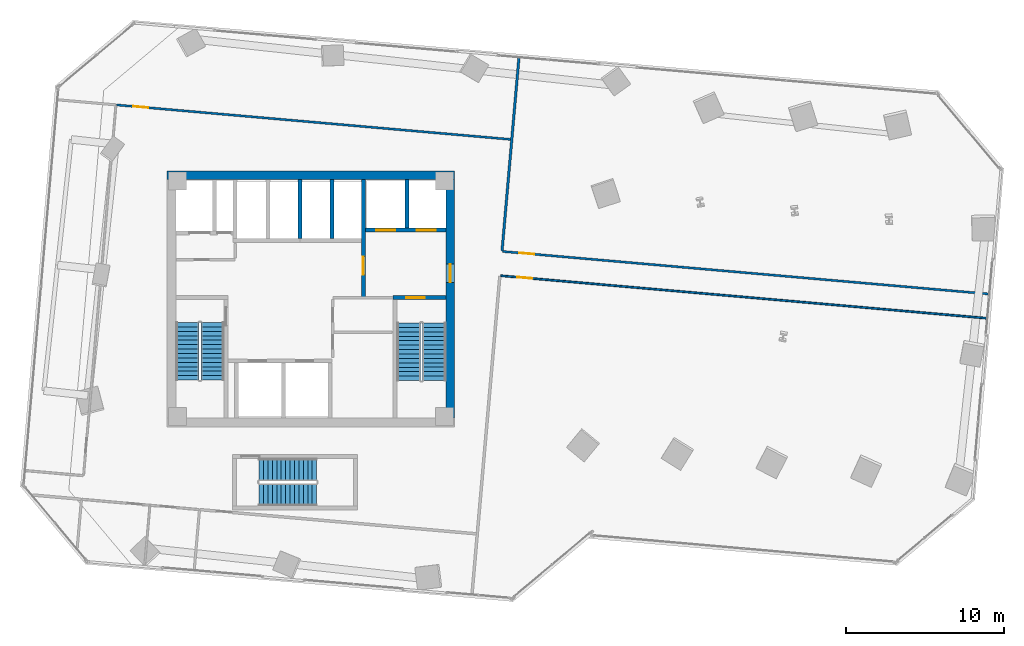
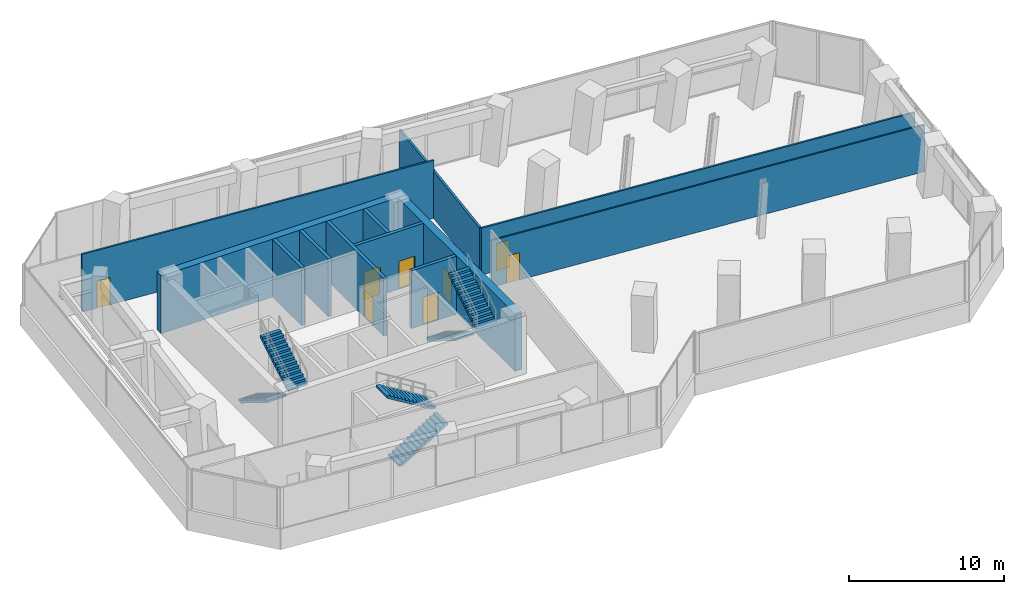
# One storey, part 21 of 24: 12 walls, 8 doors, 6 stair flights, 8 openings, 3 elements without a shape of their own.
"""IFC4 building model written with IfcOpenShell, lengths in metres."""

from ifc_helpers import new_model, si_unit, direction, frame, frame_2d, origin, place, context, subcontext, project, spatial, polyline, rectangle, outline, extrude, source, transform, mapped, material, layer, layer_set, type_object, element, fill, aggregate, save


model = new_model("IFC4")

# Units and contexts
model_context = context("Model", 3, precision=1e-05, world=origin(), true_north=direction((0.0, 1.0)))
body_context = subcontext(model_context, "Body", "Model", "MODEL_VIEW")
ifc_project = project(units=[si_unit("LENGTHUNIT", "METRE"), si_unit("AREAUNIT", "SQUARE_METRE"), si_unit("VOLUMEUNIT", "CUBIC_METRE"), si_unit("PLANEANGLEUNIT", "RADIAN"), si_unit("MASSUNIT", "GRAM", prefix="KILO")], contexts=[model_context])

# Site, building, storey
site_placement = place(None, origin())
site = spatial("IfcSite", under=ifc_project, at=site_placement, CompositionType="ELEMENT")
building_placement = place(site_placement, origin())
building = spatial("IfcBuilding", under=site, at=building_placement, Name="Torre Montelarca", CompositionType="ELEMENT")
storey_placement = place(building_placement, frame((0.0, 0.0, 52.0)))
storey = spatial("IfcBuildingStorey", under=building, at=storey_placement, Name="L11", CompositionType="ELEMENT", Elevation=52.0)

# Wall, opening, door
ifc_material_1 = material(Name="Concrete C40/50", Category="concrete")
ifc_layer_1 = layer(ifc_material_1, 0.25, Name="Concrete C40/50", Category="concrete")
ifc_layer_set_1 = layer_set([ifc_layer_1], Name="Concrete C40/50")
wall_type_1 = type_object("IfcWallType", Name="CW-SHAFT-250", PredefinedType="SHEAR", material=ifc_layer_set_1)
wall_1_placement = place(storey_placement, frame((23.18994140625, 32.074951171875, 0.0), z_axis=(0.0, 0.0, 1.0), x_axis=(1.0, 0.0, 0.0)))
wall_1 = element("IfcWall", 1, at=wall_1_placement, inside=storey, type_object=wall_type_1, Name="L11 Core Shear Wall SH-ST2-N", PredefinedType="SHEAR", context=body_context, shape_type="SweptSolid", body=[
    extrude(rectangle(XDim=3.35009765625, YDim=0.25, at=frame_2d((1.675048828125, 0.0))), origin(), (0.0, 0.0, 1.0), 4.56005859375),
])
opening_1_placement = place(wall_1_placement, frame((0.85009765625, 0.0, 0.0)))
opening_1 = element("IfcOpeningElement", 2, at=opening_1_placement, cuts=wall_1, Name="Opening FD-ST1", PredefinedType="OPENING", context=body_context, shape_type="SweptSolid", body=[
    extrude(rectangle(XDim=1.14990234375, YDim=2.199951171875, at=frame_2d((0.574951171875, 1.10009765625))), frame((0.0, 0.135009765625, 0.0), z_axis=(0.0, -1.0, 0.0), x_axis=(1.0, 0.0, 0.0)), (0.0, 0.0, 1.0), 0.27001953125),
])
ifc_material_2 = material(Name="Galvanized steel fire door", Category="steel")
door_type_1 = type_object("IfcDoorType", Name="DR-STAIR-115", OperationType="NOTDEFINED", PredefinedType="DOOR", material=ifc_material_2)
shared_shape_1 = source(origin(), body_context, "Body", "SweptSolid", [
    extrude(rectangle(XDim=1.14990234375, YDim=2.199951171875, at=frame_2d((0.574951171875, 1.10009765625))), frame((0.0, 0.02490234375, 0.0), z_axis=(0.0, -1.0, 0.0), x_axis=(1.0, 0.0, 0.0)), (0.0, 0.0, 1.0), 0.050048828125),
])
door_1_placement = place(opening_1_placement, origin())
door_1 = element("IfcDoor", 3, at=door_1_placement, inside=storey, type_object=door_type_1, Name="L11 Exit Stair ST2 Fire Door", OperationType="SINGLE_SWING_RIGHT", OverallHeight=2.199951171875, OverallWidth=1.14990234375, PredefinedType="DOOR", context=body_context, shape_type="MappedRepresentation", body=[
    mapped(shared_shape_1, transform((0.0, 0.0, 0.0), scale=1.0)),
])
fill(opening_1, door_1)

wall_2_placement = place(storey_placement, frame((21.320068359375, 32.1201171875, 0.0), z_axis=(0.0, 0.0, 1.0), x_axis=(0.0, 1.0, 0.0)))
wall_2 = element("IfcWall", 4, at=wall_2_placement, inside=storey, type_object=wall_type_1, Name="L11 Core Shear Wall SH-FFL-W", PredefinedType="SHEAR", context=body_context, shape_type="SweptSolid", body=[
    extrude(rectangle(XDim=7.419921875, YDim=0.25, at=frame_2d((3.7099609375, 0.0))), origin(), (0.0, 0.0, 1.0), 4.56005859375),
])
opening_2_placement = place(wall_2_placement, frame((1.39990234375, 0.0, 0.0)))
opening_2 = element("IfcOpeningElement", 5, at=opening_2_placement, cuts=wall_2, Name="Opening FD-LB1", PredefinedType="OPENING", context=body_context, shape_type="SweptSolid", body=[
    extrude(rectangle(XDim=1.14990234375, YDim=2.199951171875, at=frame_2d((0.574951171875, 1.10009765625))), frame((0.0, 0.135009765625, 0.0), z_axis=(0.0, -1.0, 0.0), x_axis=(1.0, 0.0, 0.0)), (0.0, 0.0, 1.0), 0.27001953125),
])
ifc_material_3 = material(Name="Acoustic timber-veneered fire door", Category="wood")
door_type_2 = type_object("IfcDoorType", Name="DR-LOBBY-115", OperationType="NOTDEFINED", PredefinedType="DOOR", material=ifc_material_3)
shared_shape_2 = source(origin(), body_context, "Body", "SweptSolid", [
    extrude(rectangle(XDim=1.14990234375, YDim=2.199951171875, at=frame_2d((0.574951171875, 1.10009765625))), frame((0.0, 0.02490234375, 0.0), z_axis=(0.0, -1.0, 0.0), x_axis=(1.0, 0.0, 0.0)), (0.0, 0.0, 1.0), 0.050048828125),
])
door_2_placement = place(opening_2_placement, origin())
door_2 = element("IfcDoor", 6, at=door_2_placement, inside=storey, type_object=door_type_2, Name="L11 Lift Lobby to Firefighting Lobby Smoke Door", OperationType="SINGLE_SWING_LEFT", OverallHeight=2.199951171875, OverallWidth=1.14990234375, PredefinedType="DOOR", context=body_context, shape_type="MappedRepresentation", body=[
    mapped(shared_shape_2, transform((0.0, 0.0, 0.0), scale=1.0)),
])
fill(opening_2, door_2)

# Wall, openings, doors
wall_3_placement = place(storey_placement, frame((21.449951171875, 36.35009765625, 0.0), z_axis=(0.0, 0.0, 1.0), x_axis=(1.0, 0.0, 0.0)))
wall_3 = element("IfcWall", 7, at=wall_3_placement, inside=storey, type_object=wall_type_1, Name="L11 Core Shear Wall SH-FF-S", PredefinedType="SHEAR", context=body_context, shape_type="SweptSolid", body=[
    extrude(rectangle(XDim=5.090087890625, YDim=0.25, at=frame_2d((2.544921875, 0.0))), origin(), (0.0, 0.0, 1.0), 4.56005859375),
])
opening_3_placement = place(wall_3_placement, frame((0.699951171875, 0.0, 0.0)))
opening_3 = element("IfcOpeningElement", 8, at=opening_3_placement, cuts=wall_3, Name="Opening LD-120", PredefinedType="OPENING", context=body_context, shape_type="SweptSolid", body=[
    extrude(rectangle(XDim=1.199951171875, YDim=2.199951171875, at=frame_2d((0.60009765625, 1.10009765625))), frame((0.0, 0.135009765625, 0.0), z_axis=(0.0, -1.0, 0.0), x_axis=(1.0, 0.0, 0.0)), (0.0, 0.0, 1.0), 0.27001953125),
])
opening_4_placement = place(wall_3_placement, frame((3.25, 0.0, 0.0)))
opening_4 = element("IfcOpeningElement", 9, at=opening_4_placement, cuts=wall_3, Name="Opening LD-120", PredefinedType="OPENING", context=body_context, shape_type="SweptSolid", body=[
    extrude(rectangle(XDim=1.199951171875, YDim=2.199951171875, at=frame_2d((0.60009765625, 1.10009765625))), frame((0.0, 0.135009765625, 0.0), z_axis=(0.0, -1.0, 0.0), x_axis=(1.0, 0.0, 0.0)), (0.0, 0.0, 1.0), 0.27001953125),
])
ifc_material_4 = material(Name="Brushed stainless steel AISI 316", Category="steel")
door_type_3 = type_object("IfcDoorType", Name="DR-LIFT-120", OperationType="SLIDING_TO_RIGHT", PredefinedType="DOOR", material=ifc_material_4)
shared_shape_3 = source(origin(), body_context, "Body", "SweptSolid", [
    extrude(rectangle(XDim=1.199951171875, YDim=2.199951171875, at=frame_2d((0.60009765625, 1.10009765625))), frame((0.0, 0.02490234375, 0.0), z_axis=(0.0, -1.0, 0.0), x_axis=(1.0, 0.0, 0.0)), (0.0, 0.0, 1.0), 0.050048828125),
])
door_3_placement = place(opening_3_placement, origin())
door_3 = element("IfcDoor", 10, at=door_3_placement, inside=storey, type_object=door_type_3, Name="L11 Lift Landing Sliding Door FF-1", OperationType="SLIDING_TO_LEFT", OverallHeight=2.199951171875, OverallWidth=1.199951171875, PredefinedType="DOOR", context=body_context, shape_type="MappedRepresentation", body=[
    mapped(shared_shape_3, transform((0.0, 0.0, 0.0), scale=1.0)),
])
fill(opening_3, door_3)
door_4_placement = place(opening_4_placement, origin())
door_4 = element("IfcDoor", 11, at=door_4_placement, inside=storey, type_object=door_type_3, Name="L11 Lift Landing Sliding Door FF-2", OperationType="SLIDING_TO_RIGHT", OverallHeight=2.199951171875, OverallWidth=1.199951171875, PredefinedType="DOOR", context=body_context, shape_type="MappedRepresentation", body=[
    mapped(shared_shape_3, transform((0.0, 0.0, 0.0), scale=1.0)),
])
fill(opening_4, door_4)

# Walls
wall_4_placement = place(storey_placement, frame((24.080078125, 36.47998046875, 0.0), z_axis=(0.0, 0.0, 1.0), x_axis=(0.0, 1.0, 0.0)))
element("IfcWall", 12, at=wall_4_placement, inside=storey, type_object=wall_type_1, Name="L11 Core Shear Wall SH-FF-M", PredefinedType="SHEAR", context=body_context, shape_type="SweptSolid", body=[
    extrude(rectangle(XDim=3.06005859375, YDim=0.25, at=frame_2d((1.530029296875, 0.0))), origin(), (0.0, 0.0, 1.0), 4.56005859375),
])
for number, where, z_axis, x_axis, name in (
    (13, (17.320068359375, 35.81005859375, 0.0), (0.0, 0.0, 1.0), (0.0, 1.0, 0.0), "L11 Core Shear Wall SH-PLH-W"),
    (14, (19.320068359375, 35.81005859375, 0.0), (0.0, 0.0, 1.0), (0.0, 1.0, 0.0), "L11 Core Shear Wall SH-PLH-M"),
):
    element("IfcWall", number, at=place(storey_placement, frame(where, z_axis=z_axis, x_axis=x_axis)), inside=storey, type_object=wall_type_1, Name=name, PredefinedType="SHEAR", context=body_context, shape_type="SweptSolid", body=[
        extrude(rectangle(XDim=3.72998046875, YDim=0.25, at=frame_2d((1.864990234375, 0.0))), origin(), (0.0, 0.0, 1.0), 4.56005859375),
    ])

# Wall, opening, door
ifc_material_5 = material(Name="Concrete C70/85", Category="concrete")
ifc_layer_2 = layer(ifc_material_5, 0.550048828125, Name="Concrete C70/85", Category="concrete")
ifc_layer_set_2 = layer_set([ifc_layer_2], Name="Concrete C70/85")
wall_type_2 = type_object("IfcWallType", Name="CW-SHEAR-550", PredefinedType="SHEAR", material=ifc_layer_set_2)
wall_5_placement = place(storey_placement, frame((26.824951171875, 24.449951171875, 0.0), z_axis=(0.0, 0.0, 1.0), x_axis=(0.0, 1.0, 0.0)))
wall_5 = element("IfcWall", 15, at=wall_5_placement, inside=storey, type_object=wall_type_2, Name="L11 Core Shear Wall CW-E", PredefinedType="SHEAR", context=body_context, shape_type="SweptSolid", body=[
    extrude(rectangle(XDim=15.10009765625, YDim=0.550048828125, at=frame_2d((7.550048828125, 0.0))), origin(), (0.0, 0.0, 1.0), 4.56005859375),
])
opening_5_placement = place(wall_5_placement, frame((8.60009765625, 0.0, 0.0)))
opening_5 = element("IfcOpeningElement", 16, at=opening_5_placement, cuts=wall_5, Name="Opening FD-LB1", PredefinedType="OPENING", context=body_context, shape_type="SweptSolid", body=[
    extrude(rectangle(XDim=1.14990234375, YDim=2.199951171875, at=frame_2d((0.574951171875, 1.10009765625))), frame((0.0, 0.28515625, 0.0), z_axis=(0.0, -1.0, 0.0), x_axis=(1.0, 0.0, 0.0)), (0.0, 0.0, 1.0), 0.570068359375),
])
door_5_placement = place(opening_5_placement, origin())
door_5 = element("IfcDoor", 17, at=door_5_placement, inside=storey, type_object=door_type_2, Name="L11 Firefighting Lift Lobby Corridor Fire Door", OperationType="SINGLE_SWING_RIGHT", OverallHeight=2.199951171875, OverallWidth=1.14990234375, PredefinedType="DOOR", context=body_context, shape_type="MappedRepresentation", body=[
    mapped(shared_shape_2, transform((0.0, 0.0, 0.0), scale=1.0)),
])
fill(opening_5, door_5)

# Walls
wall_6_placement = place(storey_placement, frame((8.89990234375, 39.824951171875, 0.0), z_axis=(0.0, 0.0, 1.0), x_axis=(1.0, 0.0, 0.0)))
element("IfcWall", 18, at=wall_6_placement, inside=storey, type_object=wall_type_2, Name="L11 Core Shear Wall CW-N1", PredefinedType="SHEAR", context=body_context, shape_type="SweptSolid", body=[
    extrude(rectangle(XDim=18.2001953125, YDim=0.550048828125, at=frame_2d((9.10009765625, 0.0))), origin(), (0.0, 0.0, 1.0), 4.56005859375),
])
ifc_material_6 = material(Name="Gypsum plasterboard on steel stud", Category="steel")
ifc_layer_3 = layer(ifc_material_6, 0.159912109375, Name="Gypsum plasterboard on steel stud", Category="steel")
ifc_layer_set_3 = layer_set([ifc_layer_3], Name="Gypsum plasterboard on steel stud")
wall_type_3 = type_object("IfcWallType", Name="PW-FIRE-160", PredefinedType="PARTITIONING", material=ifc_layer_set_3)
wall_7_placement = place(storey_placement, frame((30.097900390625, 35.042236328125, 0.0), z_axis=(0.0, 0.0, 1.0), x_axis=(0.087145176091, 0.996195622498, 0.0)))
element("IfcWall", 19, at=wall_7_placement, inside=storey, type_object=wall_type_3, Name="L11 Interior Partition W-L11-ECN", PredefinedType="PARTITIONING", context=body_context, shape_type="SweptSolid", body=[
    extrude(rectangle(XDim=12.239990234375, YDim=0.159912109375, at=frame_2d((6.1201171875, 0.0))), origin(), (0.0, 0.0, 1.0), 3.695068359375),
])

# Wall, opening, door
ifc_layer_4 = layer(ifc_material_6, 0.114990234375, Name="Gypsum plasterboard on steel stud", Category="steel")
ifc_layer_set_4 = layer_set([ifc_layer_4], Name="Gypsum plasterboard on steel stud")
wall_type_4 = type_object("IfcWallType", Name="PW-PART-115", PredefinedType="PARTITIONING", material=ifc_layer_set_4)
wall_8_placement = place(storey_placement, frame((30.0, 33.464599609375, 0.0), z_axis=(0.0, 0.0, 1.0), x_axis=(0.996195270611, -0.087149198574, 0.0)))
wall_8 = element("IfcWall", 20, at=wall_8_placement, inside=storey, type_object=wall_type_4, Name="L11 Interior Partition W-L11-SE-N", PredefinedType="PARTITIONING", context=body_context, shape_type="SweptSolid", body=[
    extrude(rectangle(XDim=30.8798828125, YDim=0.114990234375, at=frame_2d((15.43994140625, 0.0))), origin(), (0.0, 0.0, 1.0), 3.695068359375),
])
opening_6_placement = place(wall_8_placement, frame((1.050048828125, 0.0, 0.0)))
opening_6 = element("IfcOpeningElement", 21, at=opening_6_placement, cuts=wall_8, Name="Opening ID-095", PredefinedType="OPENING", context=body_context, shape_type="SweptSolid", body=[
    extrude(rectangle(XDim=0.949951171875, YDim=2.14990234375, at=frame_2d((0.47509765625, 1.074951171875))), frame((0.0, 0.0673828125, 0.0), z_axis=(0.0, -1.0, 0.0), x_axis=(1.0, 0.0, 0.0)), (0.0, 0.0, 1.0), 0.135009765625),
])
ifc_material_7 = material(Name="Hardwood acoustic timber veneer", Category="wood")
door_type_4 = type_object("IfcDoorType", Name="DR-INT-095", OperationType="NOTDEFINED", PredefinedType="DOOR", material=ifc_material_7)
shared_shape_4 = source(origin(), body_context, "Body", "SweptSolid", [
    extrude(rectangle(XDim=0.949951171875, YDim=2.14990234375, at=frame_2d((0.47509765625, 1.074951171875))), frame((0.0, 0.02490234375, 0.0), z_axis=(0.0, -1.0, 0.0), x_axis=(1.0, 0.0, 0.0)), (0.0, 0.0, 1.0), 0.050048828125),
])
door_6_placement = place(opening_6_placement, origin())
door_6 = element("IfcDoor", 22, at=door_6_placement, inside=storey, type_object=door_type_4, Name="L11 Interior Door 10", OperationType="SINGLE_SWING_LEFT", OverallHeight=2.14990234375, OverallWidth=0.949951171875, PredefinedType="DOOR", context=body_context, shape_type="MappedRepresentation", body=[
    mapped(shared_shape_4, transform((0.0, 0.0, 0.0), scale=1.0)),
])
fill(opening_6, door_6)

ifc_layer_5 = layer(ifc_material_6, 0.135009765625, Name="Gypsum plasterboard on steel stud", Category="steel")
ifc_layer_set_5 = layer_set([ifc_layer_5], Name="Gypsum plasterboard on steel stud")
wall_type_5 = type_object("IfcWallType", Name="PW-PART-135", PredefinedType="PARTITIONING", material=ifc_layer_set_5)
wall_9_placement = place(storey_placement, frame((5.69970703125, 44.273681640625, 0.0), z_axis=(0.0, 0.0, 1.0), x_axis=(0.996195324028, -0.087148587968, 0.0)))
wall_9 = element("IfcWall", 23, at=wall_9_placement, inside=storey, type_object=wall_type_5, Name="L11 Interior Partition W-L11-NBOT", PredefinedType="PARTITIONING", context=body_context, shape_type="SweptSolid", body=[
    extrude(rectangle(XDim=25.070068359375, YDim=0.135009765625, at=frame_2d((12.53515625, 0.0))), origin(), (0.0, 0.0, 1.0), 4.56005859375),
])
opening_7_placement = place(wall_9_placement, frame((1.050048828125, 0.0, 0.0)))
opening_7 = element("IfcOpeningElement", 24, at=opening_7_placement, cuts=wall_9, Name="Opening ID-095", PredefinedType="OPENING", context=body_context, shape_type="SweptSolid", body=[
    extrude(rectangle(XDim=0.949951171875, YDim=2.14990234375, at=frame_2d((0.47509765625, 1.074951171875))), frame((0.0, 0.07763671875, 0.0), z_axis=(0.0, -1.0, 0.0), x_axis=(1.0, 0.0, 0.0)), (0.0, 0.0, 1.0), 0.155029296875),
])
door_7_placement = place(opening_7_placement, origin())
door_7 = element("IfcDoor", 25, at=door_7_placement, inside=storey, type_object=door_type_4, Name="L11 Interior Door 07", OperationType="SINGLE_SWING_LEFT", OverallHeight=2.14990234375, OverallWidth=0.949951171875, PredefinedType="DOOR", context=body_context, shape_type="MappedRepresentation", body=[
    mapped(shared_shape_4, transform((0.0, 0.0, 0.0), scale=1.0)),
])
fill(opening_7, door_7)

wall_10_placement = place(storey_placement, frame((30.13427734375, 34.998779296875, 0.0), z_axis=(0.0, 0.0, 1.0), x_axis=(0.996195270611, -0.087149198574, 0.0)))
wall_10 = element("IfcWall", 26, at=wall_10_placement, inside=storey, type_object=wall_type_5, Name="L11 Interior Partition W-L11-NE-S", PredefinedType="PARTITIONING", context=body_context, shape_type="SweptSolid", body=[
    extrude(rectangle(XDim=30.8798828125, YDim=0.135009765625, at=frame_2d((15.43994140625, 0.0))), origin(), (0.0, 0.0, 1.0), 3.695068359375),
])
opening_8_placement = place(wall_10_placement, frame((1.050048828125, 0.0, 0.0)))
opening_8 = element("IfcOpeningElement", 27, at=opening_8_placement, cuts=wall_10, Name="Opening ID-095", PredefinedType="OPENING", context=body_context, shape_type="SweptSolid", body=[
    extrude(rectangle(XDim=0.949951171875, YDim=2.14990234375, at=frame_2d((0.47509765625, 1.074951171875))), frame((0.0, 0.07763671875, 0.0), z_axis=(0.0, -1.0, 0.0), x_axis=(1.0, 0.0, 0.0)), (0.0, 0.0, 1.0), 0.155029296875),
])
door_8_placement = place(opening_8_placement, origin())
door_8 = element("IfcDoor", 28, at=door_8_placement, inside=storey, type_object=door_type_4, Name="L11 Interior Door 09", OperationType="SINGLE_SWING_LEFT", OverallHeight=2.14990234375, OverallWidth=0.949951171875, PredefinedType="DOOR", context=body_context, shape_type="MappedRepresentation", body=[
    mapped(shared_shape_4, transform((0.0, 0.0, 0.0), scale=1.0)),
])
fill(opening_8, door_8)

# Stair, stair flights
stair_type_1 = type_object("IfcStairType", Name="ST-CORE-ST1", PredefinedType="HALF_TURN_STAIR", material=ifc_material_1)
stair_1_placement = place(storey_placement, origin())
stair_1 = element("IfcStair", 29, at=stair_1_placement, inside=storey, type_object=stair_type_1, Name="L11 Protected Exit Stair ST1", PredefinedType="HALF_TURN_STAIR")
stair_flight_type_1 = type_object("IfcStairFlightType", Name="SFL-CORE-ST1", PredefinedType="STRAIGHT", material=ifc_material_1)
stair_flight_1_placement = place(storey_placement, frame((10.175048828125, 30.5, 0.0), z_axis=(0.0, 0.0, 1.0), x_axis=(0.0, -1.0, 0.0)))
stair_flight_1 = element("IfcStairFlight", 30, at=stair_flight_1_placement, type_object=stair_flight_type_1, Name="ST1 flight 1", NumberOfRisers=14, NumberOfTreads=13, PredefinedType="STRAIGHT", RiserHeight=0.171428571, TreadLength=0.28, context=body_context, shape_type="SweptSolid", body=[
    extrude(outline(polyline([(0.0, 0.0), (0.0, 0.17138671875), (0.280029296875, 0.17138671875), (0.280029296875, 0.3427734375), (0.56005859375, 0.3427734375), (0.56005859375, 0.514404296875), (0.840087890625, 0.514404296875), (0.840087890625, 0.685791015625), (1.1201171875, 0.685791015625), (1.1201171875, 0.857177734375), (1.39990234375, 0.857177734375), (1.39990234375, 1.028564453125), (1.679931640625, 1.028564453125), (1.679931640625, 1.199951171875), (1.9599609375, 1.199951171875), (1.9599609375, 1.371337890625), (2.239990234375, 1.371337890625), (2.239990234375, 1.54296875), (2.52001953125, 1.54296875), (2.52001953125, 1.71435546875), (2.800048828125, 1.71435546875), (2.800048828125, 1.8857421875), (3.080078125, 1.8857421875), (3.080078125, 2.05712890625), (3.360107421875, 2.05712890625), (3.360107421875, 2.228515625), (3.639892578125, 2.228515625), (3.639892578125, 2.39990234375), (3.639892578125, 2.052734375), (0.287109375, 0.0), (0.0, 0.0)])), frame((0.0, 0.72509765625, 0.0), z_axis=(0.0, -1.0, 0.0), x_axis=(1.0, 0.0, 0.0)), (0.0, 0.0, 1.0), 1.449951171875),
])
stair_flight_2_placement = place(storey_placement, frame((11.77490234375, 26.860107421875, 2.39990234375), z_axis=(0.0, 0.0, 1.0), x_axis=(0.0, 1.0, 0.0)))
stair_flight_2 = element("IfcStairFlight", 31, at=stair_flight_2_placement, type_object=stair_flight_type_1, Name="ST1 flight 2", NumberOfRisers=14, NumberOfTreads=13, PredefinedType="STRAIGHT", RiserHeight=0.171428571, TreadLength=0.28, context=body_context, shape_type="SweptSolid", body=[
    extrude(outline(polyline([(0.0, 0.0), (0.0, 0.17138671875), (0.280029296875, 0.17138671875), (0.280029296875, 0.3427734375), (0.56005859375, 0.3427734375), (0.56005859375, 0.514404296875), (0.840087890625, 0.514404296875), (0.840087890625, 0.685791015625), (1.1201171875, 0.685791015625), (1.1201171875, 0.857177734375), (1.39990234375, 0.857177734375), (1.39990234375, 1.028564453125), (1.679931640625, 1.028564453125), (1.679931640625, 1.199951171875), (1.9599609375, 1.199951171875), (1.9599609375, 1.371337890625), (2.239990234375, 1.371337890625), (2.239990234375, 1.54296875), (2.52001953125, 1.54296875), (2.52001953125, 1.71435546875), (2.800048828125, 1.71435546875), (2.800048828125, 1.8857421875), (3.080078125, 1.8857421875), (3.080078125, 2.05712890625), (3.360107421875, 2.05712890625), (3.360107421875, 2.228515625), (3.639892578125, 2.228515625), (3.639892578125, 2.39990234375), (3.639892578125, 2.052734375), (0.287109375, 0.0), (0.0, 0.0)])), frame((0.0, 0.72509765625, 0.0), z_axis=(0.0, -1.0, 0.0), x_axis=(1.0, 0.0, 0.0)), (0.0, 0.0, 1.0), 1.449951171875),
])
aggregate(stair_1, [stair_flight_1, stair_flight_2])

stair_type_2 = type_object("IfcStairType", Name="ST-CORE-ST2", PredefinedType="HALF_TURN_STAIR", material=ifc_material_1)
stair_2_placement = place(storey_placement, origin())
stair_2 = element("IfcStair", 32, at=stair_2_placement, inside=storey, type_object=stair_type_2, Name="L11 Protected Exit Stair ST2", PredefinedType="HALF_TURN_STAIR")
stair_flight_type_2 = type_object("IfcStairFlightType", Name="SFL-CORE-ST2", PredefinedType="STRAIGHT", material=ifc_material_1)
stair_flight_3_placement = place(storey_placement, frame((24.179931640625, 30.469970703125, 0.0), z_axis=(0.0, 0.0, 1.0), x_axis=(0.0, -1.0, 0.0)))
stair_flight_3 = element("IfcStairFlight", 33, at=stair_flight_3_placement, type_object=stair_flight_type_2, Name="ST2 flight 1", NumberOfRisers=14, NumberOfTreads=13, PredefinedType="STRAIGHT", RiserHeight=0.171428571, TreadLength=0.28, context=body_context, shape_type="SweptSolid", body=[
    extrude(outline(polyline([(0.0, 0.0), (0.0, 0.17138671875), (0.280029296875, 0.17138671875), (0.280029296875, 0.3427734375), (0.56005859375, 0.3427734375), (0.56005859375, 0.514404296875), (0.840087890625, 0.514404296875), (0.840087890625, 0.685791015625), (1.1201171875, 0.685791015625), (1.1201171875, 0.857177734375), (1.39990234375, 0.857177734375), (1.39990234375, 1.028564453125), (1.679931640625, 1.028564453125), (1.679931640625, 1.199951171875), (1.9599609375, 1.199951171875), (1.9599609375, 1.371337890625), (2.239990234375, 1.371337890625), (2.239990234375, 1.54296875), (2.52001953125, 1.54296875), (2.52001953125, 1.71435546875), (2.800048828125, 1.71435546875), (2.800048828125, 1.8857421875), (3.080078125, 1.8857421875), (3.080078125, 2.05712890625), (3.360107421875, 2.05712890625), (3.360107421875, 2.228515625), (3.639892578125, 2.228515625), (3.639892578125, 2.39990234375), (3.639892578125, 2.052734375), (0.287109375, 0.0), (0.0, 0.0)])), frame((0.0, 0.739990234375, 0.0), z_axis=(0.0, -1.0, 0.0), x_axis=(1.0, 0.0, 0.0)), (0.0, 0.0, 1.0), 1.47998046875),
])
stair_flight_4_placement = place(storey_placement, frame((25.81005859375, 26.830078125, 2.39990234375), z_axis=(0.0, 0.0, 1.0), x_axis=(0.0, 1.0, 0.0)))
stair_flight_4 = element("IfcStairFlight", 34, at=stair_flight_4_placement, type_object=stair_flight_type_2, Name="ST2 flight 2", NumberOfRisers=14, NumberOfTreads=13, PredefinedType="STRAIGHT", RiserHeight=0.171428571, TreadLength=0.28, context=body_context, shape_type="SweptSolid", body=[
    extrude(outline(polyline([(0.0, 0.0), (0.0, 0.17138671875), (0.280029296875, 0.17138671875), (0.280029296875, 0.3427734375), (0.56005859375, 0.3427734375), (0.56005859375, 0.514404296875), (0.840087890625, 0.514404296875), (0.840087890625, 0.685791015625), (1.1201171875, 0.685791015625), (1.1201171875, 0.857177734375), (1.39990234375, 0.857177734375), (1.39990234375, 1.028564453125), (1.679931640625, 1.028564453125), (1.679931640625, 1.199951171875), (1.9599609375, 1.199951171875), (1.9599609375, 1.371337890625), (2.239990234375, 1.371337890625), (2.239990234375, 1.54296875), (2.52001953125, 1.54296875), (2.52001953125, 1.71435546875), (2.800048828125, 1.71435546875), (2.800048828125, 1.8857421875), (3.080078125, 1.8857421875), (3.080078125, 2.05712890625), (3.360107421875, 2.05712890625), (3.360107421875, 2.228515625), (3.639892578125, 2.228515625), (3.639892578125, 2.39990234375), (3.639892578125, 2.052734375), (0.287109375, 0.0), (0.0, 0.0)])), frame((0.0, 0.739990234375, 0.0), z_axis=(0.0, -1.0, 0.0), x_axis=(1.0, 0.0, 0.0)), (0.0, 0.0, 1.0), 1.47998046875),
])
aggregate(stair_2, [stair_flight_3, stair_flight_4])

stair_type_3 = type_object("IfcStairType", Name="ST-CORE-ST3", PredefinedType="HALF_TURN_STAIR", material=ifc_material_1)
stair_3_placement = place(storey_placement, origin())
stair_3 = element("IfcStair", 35, at=stair_3_placement, inside=storey, type_object=stair_type_3, Name="L11 Low-Rise Exit Stair ST3", PredefinedType="HALF_TURN_STAIR")
stair_flight_type_3 = type_object("IfcStairFlightType", Name="SFL-CORE-ST3", PredefinedType="STRAIGHT", material=ifc_material_1)
stair_flight_5_placement = place(storey_placement, frame((14.719970703125, 19.610107421875, 0.0), z_axis=(0.0, 0.0, 1.0), x_axis=(1.0, 0.0, 0.0)))
stair_flight_5 = element("IfcStairFlight", 36, at=stair_flight_5_placement, type_object=stair_flight_type_3, Name="ST3 flight 1", NumberOfRisers=14, NumberOfTreads=13, PredefinedType="STRAIGHT", RiserHeight=0.171428571, TreadLength=0.28, context=body_context, shape_type="SweptSolid", body=[
    extrude(outline(polyline([(0.0, 0.0), (0.0, 0.17138671875), (0.280029296875, 0.17138671875), (0.280029296875, 0.3427734375), (0.56005859375, 0.3427734375), (0.56005859375, 0.514404296875), (0.840087890625, 0.514404296875), (0.840087890625, 0.685791015625), (1.1201171875, 0.685791015625), (1.1201171875, 0.857177734375), (1.39990234375, 0.857177734375), (1.39990234375, 1.028564453125), (1.679931640625, 1.028564453125), (1.679931640625, 1.199951171875), (1.9599609375, 1.199951171875), (1.9599609375, 1.371337890625), (2.239990234375, 1.371337890625), (2.239990234375, 1.54296875), (2.52001953125, 1.54296875), (2.52001953125, 1.71435546875), (2.800048828125, 1.71435546875), (2.800048828125, 1.8857421875), (3.080078125, 1.8857421875), (3.080078125, 2.05712890625), (3.360107421875, 2.05712890625), (3.360107421875, 2.228515625), (3.639892578125, 2.228515625), (3.639892578125, 2.39990234375), (3.639892578125, 2.052734375), (0.287109375, 0.0), (0.0, 0.0)])), frame((0.0, 0.7099609375, 0.0), z_axis=(0.0, -1.0, 0.0), x_axis=(1.0, 0.0, 0.0)), (0.0, 0.0, 1.0), 1.419921875),
])
stair_flight_6_placement = place(storey_placement, frame((18.360107421875, 21.179931640625, 2.39990234375), z_axis=(0.0, 0.0, 1.0), x_axis=(-1.0, 0.0, 0.0)))
stair_flight_6 = element("IfcStairFlight", 37, at=stair_flight_6_placement, type_object=stair_flight_type_3, Name="ST3 flight 2", NumberOfRisers=14, NumberOfTreads=13, PredefinedType="STRAIGHT", RiserHeight=0.171428571, TreadLength=0.28, context=body_context, shape_type="SweptSolid", body=[
    extrude(outline(polyline([(0.0, 0.0), (0.0, 0.17138671875), (0.280029296875, 0.17138671875), (0.280029296875, 0.3427734375), (0.56005859375, 0.3427734375), (0.56005859375, 0.514404296875), (0.840087890625, 0.514404296875), (0.840087890625, 0.685791015625), (1.1201171875, 0.685791015625), (1.1201171875, 0.857177734375), (1.39990234375, 0.857177734375), (1.39990234375, 1.028564453125), (1.679931640625, 1.028564453125), (1.679931640625, 1.199951171875), (1.9599609375, 1.199951171875), (1.9599609375, 1.371337890625), (2.239990234375, 1.371337890625), (2.239990234375, 1.54296875), (2.52001953125, 1.54296875), (2.52001953125, 1.71435546875), (2.800048828125, 1.71435546875), (2.800048828125, 1.8857421875), (3.080078125, 1.8857421875), (3.080078125, 2.05712890625), (3.360107421875, 2.05712890625), (3.360107421875, 2.228515625), (3.639892578125, 2.228515625), (3.639892578125, 2.39990234375), (3.639892578125, 2.052734375), (0.287109375, 0.0), (0.0, 0.0)])), frame((0.0, 0.7099609375, 0.0), z_axis=(0.0, -1.0, 0.0), x_axis=(1.0, 0.0, 0.0)), (0.0, 0.0, 1.0), 1.419921875),
])
aggregate(stair_3, [stair_flight_5, stair_flight_6])

save(model, "model.ifc")
